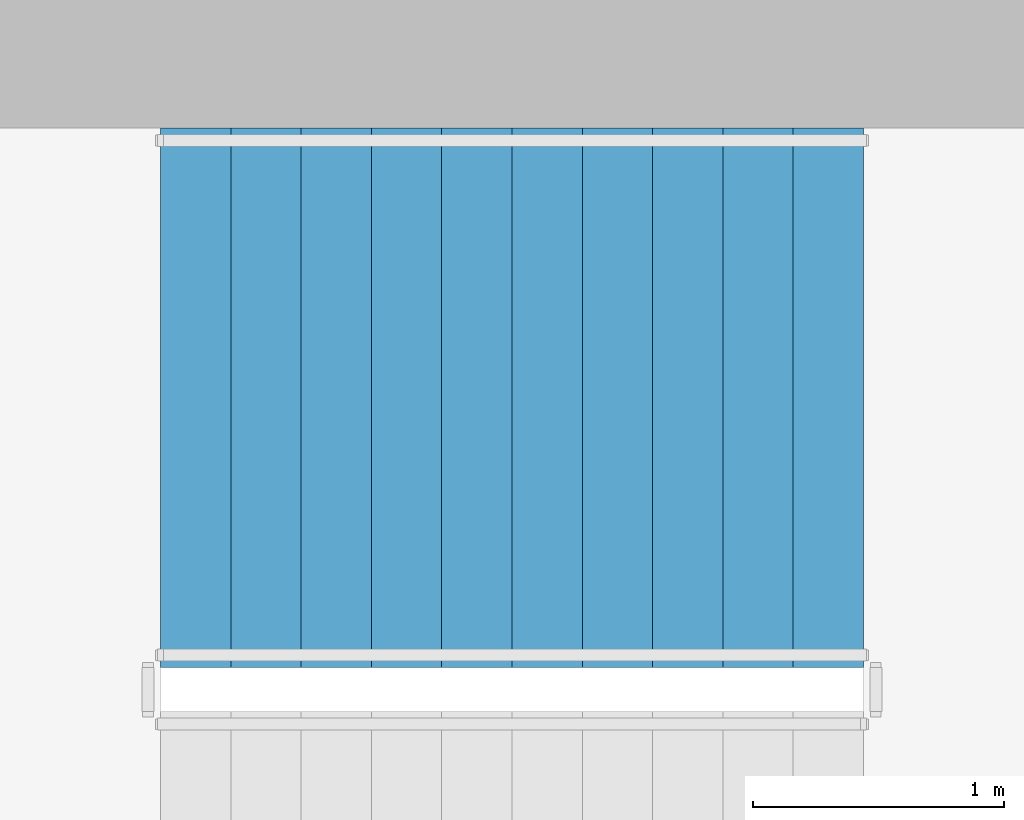
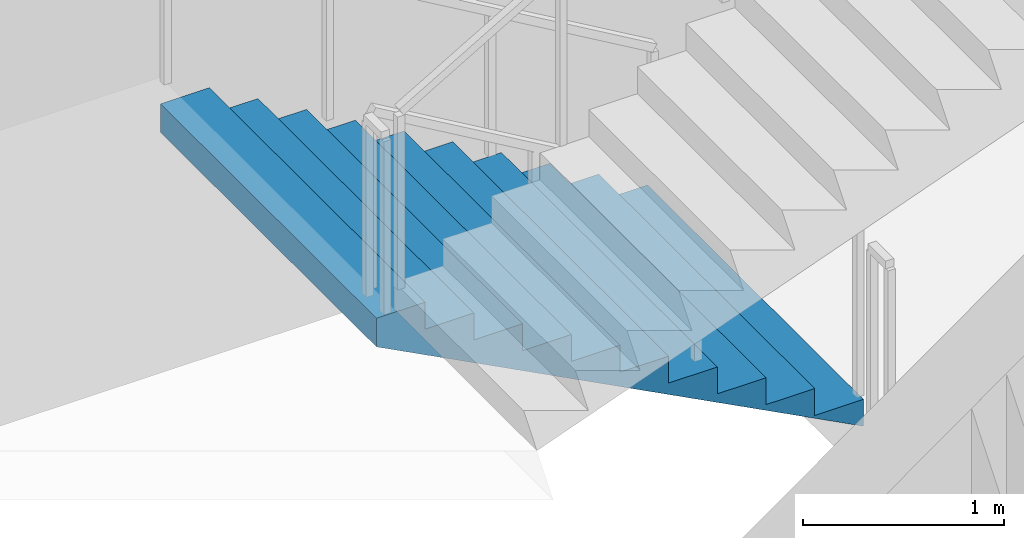
# One storey, part 12 of 20: 1 stair flight, 1 element without a shape of its own.
"""IFC4 building model written with IfcOpenShell, lengths in metres."""

from ifc_helpers import new_model, si_unit, direction, frame, origin, place, context, subcontext, project, spatial, triangles, material, type_object, element, aggregate, save


model = new_model("IFC4")

# Units and contexts
model_context = context("Model", 3, precision=1e-05, world=origin(), true_north=direction((0.0, 1.0)))
body_context = subcontext(model_context, "Body", "Model", "MODEL_VIEW")
ifc_project = project(units=[si_unit("LENGTHUNIT", "METRE"), si_unit("AREAUNIT", "SQUARE_METRE"), si_unit("VOLUMEUNIT", "CUBIC_METRE"), si_unit("PLANEANGLEUNIT", "RADIAN"), si_unit("MASSUNIT", "GRAM", prefix="KILO")], contexts=[model_context])

# Site, building, storey
site_placement = place(None, origin())
site = spatial("IfcSite", under=ifc_project, at=site_placement, CompositionType="ELEMENT")
building_placement = place(site_placement, origin())
building = spatial("IfcBuilding", under=site, at=building_placement, Name="Cypress Arch Tower", CompositionType="ELEMENT")
storey_placement = place(building_placement, frame((0.0, 0.0, 80.699951171875)))
storey = spatial("IfcBuildingStorey", under=building, at=storey_placement, Name="L14", CompositionType="ELEMENT", Elevation=80.699951171875)

# Stair, stair flight
ifc_material_1 = material(Name="Concrete C40/50", Category="concrete")
stair_type = type_object("IfcStairType", Name="Exit stair ES1636-215", PredefinedType="HALF_TURN_STAIR", material=ifc_material_1)
stair_placement = place(storey_placement, origin())
stair = element("IfcStair", 1, at=stair_placement, inside=storey, type_object=stair_type, Name="L14 Exit stair B", PredefinedType="HALF_TURN_STAIR")
ifc_material_2 = material(Name="Concrete C40/50", Category="concrete")
stair_flight_type = type_object("IfcStairFlightType", Name="Exit stair flight ES1636-215", PredefinedType="STRAIGHT", material=ifc_material_2)
stair_flight_placement = place(storey_placement, frame((-22.27490234375, 13.72509765625, 0.0), z_axis=(0.0, 0.0, 1.0), x_axis=(-1.0, 0.0, 0.0)))
stair_flight = element("IfcStairFlight", 2, at=stair_flight_placement, type_object=stair_flight_type, Name="B flight 1", NumberOfRisers=11, NumberOfTreads=10, PredefinedType="STRAIGHT", RiserHeight=0.163636364, TreadLength=0.28, context=body_context, shape_type="Tessellation", body=[
    triangles([(0.0, -1.074951171875, 0.0), (0.000244140625, -1.074951171875, 0.03271484375), (0.00048828125, -1.074951171875, 0.0654296875), (0.00048828125, -1.074951171875, 0.09814453125), (0.000244140625, -1.074951171875, 0.130859375), (0.0, -1.074951171875, 0.16357421875), (0.280029296875, -1.074951171875, 0.16357421875), (0.280029296875, -1.074951171875, 0.327392578125), (0.56005859375, -1.074951171875, 0.327392578125), (0.56005859375, -1.074951171875, 0.490966796875), (0.840087890625, -1.074951171875, 0.490966796875), (0.840087890625, -1.074951171875, 0.654541015625), (1.1201171875, -1.074951171875, 0.654541015625), (1.1201171875, -1.074951171875, 0.818115234375), (1.39990234375, -1.074951171875, 0.818115234375), (1.39990234375, -1.074951171875, 0.98193359375), (1.679931640625, -1.074951171875, 0.98193359375), (1.679931640625, -1.074951171875, 1.1455078125), (1.9599609375, -1.074951171875, 1.1455078125), (1.9599609375, -1.074951171875, 1.30908203125), (2.239990234375, -1.074951171875, 1.30908203125), (2.239990234375, -1.074951171875, 1.47265625), (2.52001953125, -1.074951171875, 1.47265625), (2.52001953125, -1.074951171875, 1.636474609375), (2.800048828125, -1.074951171875, 1.636474609375), (2.7998046875, -1.074951171875, 1.601806640625), (2.799560546875, -1.074951171875, 1.56689453125), (2.799560546875, -1.074951171875, 1.5322265625), (2.7998046875, -1.074951171875, 1.497314453125), (2.800048828125, -1.074951171875, 1.462646484375), (2.800048828125, 1.074951171875, 1.462646484375), (2.7998046875, 1.074951171875, 1.497314453125), (2.799560546875, 1.074951171875, 1.5322265625), (2.799560546875, 1.074951171875, 1.56689453125), (2.7998046875, 1.074951171875, 1.601806640625), (2.800048828125, 1.074951171875, 1.636474609375), (2.52001953125, 1.074951171875, 1.636474609375), (2.52001953125, 1.074951171875, 1.47265625), (2.239990234375, 1.074951171875, 1.47265625), (2.239990234375, 1.074951171875, 1.30908203125), (1.9599609375, 1.074951171875, 1.30908203125), (1.9599609375, 1.074951171875, 1.1455078125), (1.679931640625, 1.074951171875, 1.1455078125), (1.679931640625, 1.074951171875, 0.98193359375), (1.39990234375, 1.074951171875, 0.98193359375), (1.39990234375, 1.074951171875, 0.818115234375), (1.1201171875, 1.074951171875, 0.818115234375), (1.1201171875, 1.074951171875, 0.654541015625), (0.840087890625, 1.074951171875, 0.654541015625), (0.840087890625, 1.074951171875, 0.490966796875), (0.56005859375, 1.074951171875, 0.490966796875), (0.56005859375, 1.074951171875, 0.327392578125), (0.280029296875, 1.074951171875, 0.327392578125), (0.280029296875, 1.074951171875, 0.16357421875), (0.0, 1.074951171875, 0.16357421875), (0.000244140625, 1.074951171875, 0.130859375), (0.00048828125, 1.074951171875, 0.09814453125), (0.00048828125, 1.074951171875, 0.0654296875), (0.000244140625, 1.074951171875, 0.03271484375), (0.0, 1.074951171875, 0.0), (2.7998046875, 0.0, 1.497314453125), (2.800048828125, 0.0, 1.462646484375), (2.799560546875, 0.0, 1.5322265625), (2.799560546875, 0.0, 1.56689453125), (2.7998046875, 0.0, 1.601806640625), (2.800048828125, 0.0, 1.636474609375), (2.52001953125, 0.0, 1.636474609375), (2.52001953125, 0.0, 1.47265625), (2.239990234375, 0.0, 1.47265625), (2.239990234375, 0.0, 1.30908203125), (1.9599609375, 0.0, 1.30908203125), (1.9599609375, 0.0, 1.1455078125), (1.679931640625, 0.0, 1.1455078125), (1.679931640625, 0.0, 0.98193359375), (1.39990234375, 0.0, 0.98193359375), (1.39990234375, 0.0, 0.818115234375), (1.1201171875, 0.0, 0.818115234375), (1.1201171875, 0.0, 0.654541015625), (0.840087890625, 0.0, 0.654541015625), (0.840087890625, 0.0, 0.490966796875), (0.56005859375, 0.0, 0.490966796875), (0.56005859375, 0.0, 0.327392578125), (0.280029296875, 0.0, 0.327392578125), (0.280029296875, 0.0, 0.16357421875), (0.0, 0.0, 0.16357421875), (0.000244140625, 0.0, 0.130859375), (0.00048828125, 0.0, 0.09814453125), (0.00048828125, 0.0, 0.0654296875), (0.000244140625, 0.0, 0.03271484375), (0.0, 0.0, 0.0)], [[30, 29, 24], [29, 28, 24], [28, 27, 24], [27, 26, 24], [26, 25, 24], [17, 16, 15], [9, 8, 7], [15, 14, 13], [23, 22, 21], [21, 20, 19], [19, 18, 17], [13, 12, 11], [11, 10, 9], [6, 5, 7], [5, 4, 7], [4, 3, 7], [3, 2, 7], [2, 1, 7], [30, 24, 23], [30, 23, 21], [30, 21, 19], [30, 19, 17], [30, 17, 15], [30, 15, 13], [30, 13, 11], [30, 11, 9], [30, 9, 7], [30, 7, 1], [31, 37, 32], [32, 37, 33], [33, 37, 34], [34, 37, 35], [35, 37, 36], [44, 46, 45], [52, 54, 53], [46, 48, 47], [38, 40, 39], [40, 42, 41], [42, 44, 43], [48, 50, 49], [50, 52, 51], [55, 54, 56], [56, 54, 57], [57, 54, 58], [58, 54, 59], [59, 54, 60], [31, 38, 37], [31, 40, 38], [31, 42, 40], [31, 44, 42], [31, 46, 44], [31, 48, 46], [31, 50, 48], [31, 52, 50], [31, 54, 52], [31, 60, 54], [62, 61, 29], [62, 29, 30], [31, 32, 61], [31, 61, 62], [61, 63, 28], [61, 28, 29], [32, 33, 63], [32, 63, 61], [63, 64, 27], [63, 27, 28], [33, 34, 64], [33, 64, 63], [64, 65, 26], [64, 26, 27], [34, 35, 65], [34, 65, 64], [65, 66, 25], [65, 25, 26], [35, 36, 66], [35, 66, 65], [66, 67, 24], [66, 24, 25], [36, 37, 67], [36, 67, 66], [67, 68, 23], [67, 23, 24], [37, 38, 68], [37, 68, 67], [68, 69, 22], [68, 22, 23], [38, 39, 69], [38, 69, 68], [69, 70, 21], [69, 21, 22], [39, 40, 70], [39, 70, 69], [70, 71, 20], [70, 20, 21], [40, 41, 71], [40, 71, 70], [71, 72, 19], [71, 19, 20], [41, 42, 72], [41, 72, 71], [72, 73, 18], [72, 18, 19], [42, 43, 73], [42, 73, 72], [73, 74, 17], [73, 17, 18], [43, 44, 74], [43, 74, 73], [74, 75, 16], [74, 16, 17], [44, 45, 75], [44, 75, 74], [75, 76, 15], [75, 15, 16], [45, 46, 76], [45, 76, 75], [76, 77, 14], [76, 14, 15], [46, 47, 77], [46, 77, 76], [77, 78, 13], [77, 13, 14], [47, 48, 78], [47, 78, 77], [78, 79, 12], [78, 12, 13], [48, 49, 79], [48, 79, 78], [79, 80, 11], [79, 11, 12], [49, 50, 80], [49, 80, 79], [80, 81, 10], [80, 10, 11], [50, 51, 81], [50, 81, 80], [81, 82, 9], [81, 9, 10], [51, 52, 82], [51, 82, 81], [82, 83, 8], [82, 8, 9], [52, 53, 83], [52, 83, 82], [83, 84, 7], [83, 7, 8], [53, 54, 84], [53, 84, 83], [84, 85, 6], [84, 6, 7], [54, 55, 85], [54, 85, 84], [85, 86, 5], [85, 5, 6], [55, 56, 86], [55, 86, 85], [86, 87, 4], [86, 4, 5], [56, 57, 87], [56, 87, 86], [87, 88, 3], [87, 3, 4], [57, 58, 88], [57, 88, 87], [88, 89, 2], [88, 2, 3], [58, 59, 89], [58, 89, 88], [89, 90, 1], [89, 1, 2], [59, 60, 90], [59, 90, 89], [90, 62, 30], [90, 30, 1], [60, 31, 62], [60, 62, 90]], closed=True),
])
aggregate(stair, [stair_flight])

save(model, "model.ifc")
